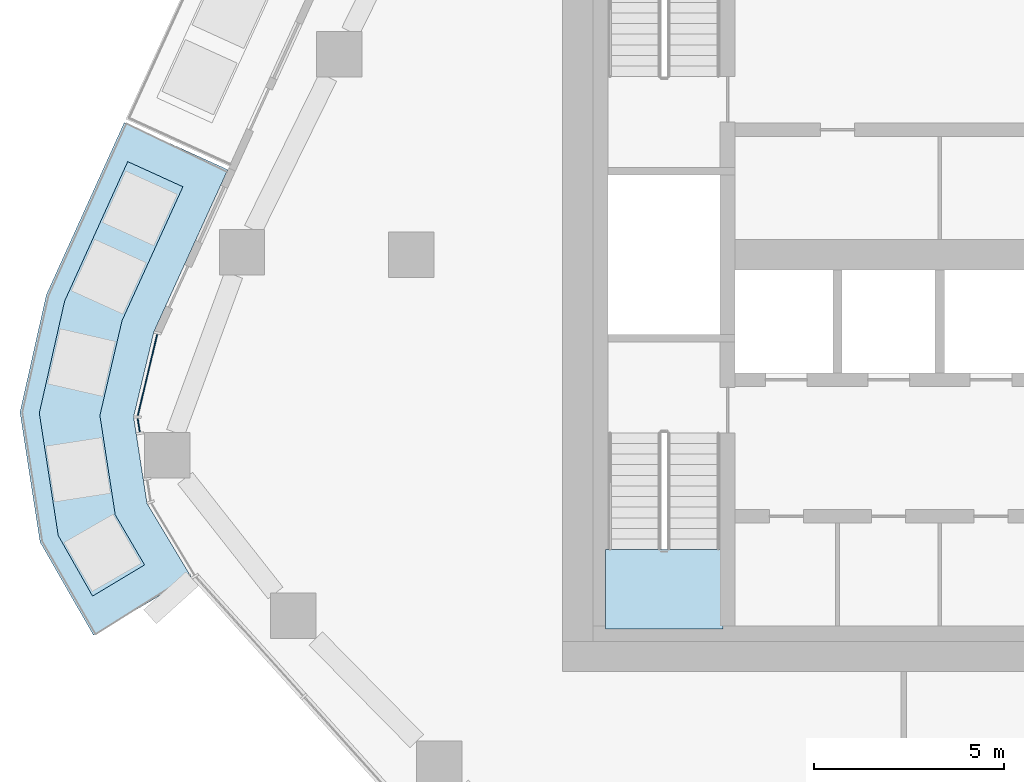
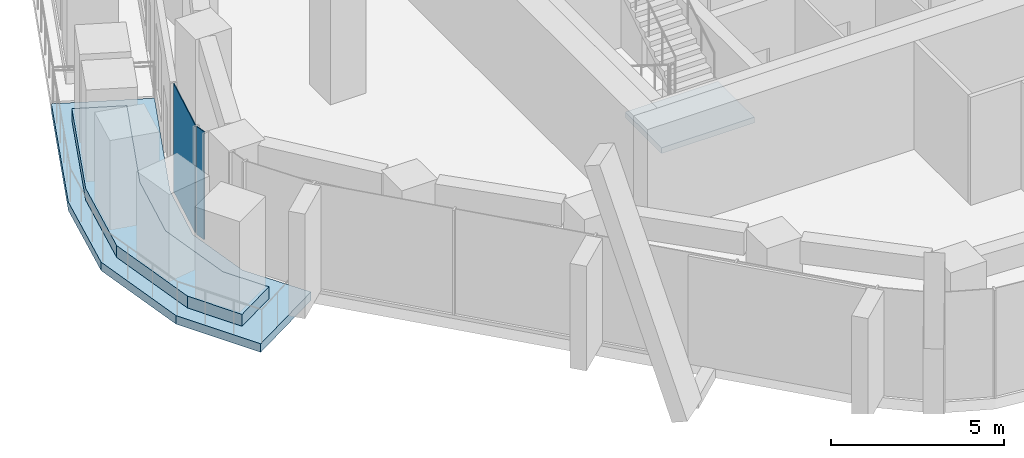
# One storey, part 8 of 19: 3 slabs, 2 plates, 2 elements without a shape of their own.
"""IFC4 building model written with IfcOpenShell, lengths in metres."""

from ifc_helpers import new_model, si_unit, direction, frame, origin, origin_2d, place, context, subcontext, project, spatial, polyline, rectangle, outline, extrude, material, layer, layer_set, type_object, element, aggregate, save


model = new_model("IFC4")

# Units and contexts
model_context = context("Model", 3, precision=1e-05, world=origin(), true_north=direction((0.0, 1.0)))
body_context = subcontext(model_context, "Body", "Model", "MODEL_VIEW")
ifc_project = project(units=[si_unit("LENGTHUNIT", "METRE"), si_unit("AREAUNIT", "SQUARE_METRE"), si_unit("VOLUMEUNIT", "CUBIC_METRE"), si_unit("PLANEANGLEUNIT", "RADIAN"), si_unit("MASSUNIT", "GRAM", prefix="KILO")], contexts=[model_context])

# Site, building, storey
site_placement = place(None, origin())
site = spatial("IfcSite", under=ifc_project, at=site_placement, CompositionType="ELEMENT")
building_placement = place(site_placement, origin())
building = spatial("IfcBuilding", under=site, at=building_placement, Name="Dongbaek Canopy Tower", CompositionType="ELEMENT")
storey_placement = place(building_placement, frame((0.0, 0.0, 198.800048828125)))
storey = spatial("IfcBuildingStorey", under=building, at=storey_placement, Name="L41", CompositionType="ELEMENT", Elevation=198.800048828125)

# Slab
ifc_material_1 = material(Name="Concrete C40/50", Category="concrete")
ifc_layer_1 = layer(ifc_material_1, 0.300048828125)
ifc_layer_set_1 = layer_set([ifc_layer_1], Name="Balcony slab 300")
slab_type_1 = type_object("IfcSlabType", Name="Balcony slab 300", PredefinedType="FLOOR", material=ifc_layer_set_1)
slab_1_placement = place(storey_placement, frame((0.0, 0.0, -0.300048828125)))
element("IfcSlab", 1, at=slab_1_placement, inside=storey, type_object=slab_type_1, Name="Balcony L41 2", PredefinedType="FLOOR", context=body_context, shape_type="SweptSolid", body=[
    extrude(outline(polyline([(-22.83740234375, 2.243408203125), (-24.785888671875, -2.031005859375), (-25.3212890625, -4.277587890625), (-24.96875, -6.559814453125), (-23.8056640625, -8.4970703125), (-26.3779296875, -10.041259765625), (-27.789794921875, -7.580078125), (-28.31884765625, -4.156494140625), (-27.623046875, -1.056396484375), (-25.5673828125, 3.487548828125), (-22.83740234375, 2.243408203125)])), origin(), (0.0, 0.0, 1.0), 0.300048828125),
])

# Curtain wall, plates
ifc_material_2 = material(Name="Aluminium 6063-T6 pale anodised", Category="aluminium")
ifc_layer_2 = layer(ifc_material_2, 0.199951171875)
ifc_layer_set_2 = layer_set([ifc_layer_2], Name="CW-1 unitised tower curtain wall")
curtain_wall_type = type_object("IfcCurtainWallType", Name="CW-1 unitised tower curtain wall", PredefinedType="NOTDEFINED", material=ifc_layer_set_2)
curtain_wall_placement = place(storey_placement, origin())
curtain_wall = element("IfcCurtainWall", 2, at=curtain_wall_placement, inside=storey, type_object=curtain_wall_type, Name="CW-1 curtain wall K3.1a", PredefinedType="NOTDEFINED")
ifc_material_3 = material(Name="Clear laminated glass", Category="glass")
ifc_layer_3 = layer(ifc_material_3, 0.028076171875)
ifc_layer_set_3 = layer_set([ifc_layer_3], Name="CW-1 glazed panel 28")
plate_type = type_object("IfcPlateType", Name="CW-1 glazed panel 28", PredefinedType="CURTAIN_PANEL", material=ifc_layer_set_3)
plate_1_placement = place(storey_placement, frame((-24.955078125, -3.172607421875, 0.0), z_axis=(0.0, 0.0, 1.0), x_axis=(-0.231881690436, -0.972743995942, 0.0)))
plate_1 = element("IfcPlate", 3, at=plate_1_placement, type_object=plate_type, Name="CW-1 panel K3.1a.1.1", PredefinedType="CURTAIN_PANEL", context=body_context, shape_type="SweptSolid", body=[
    extrude(rectangle(XDim=2.196044921875, YDim=0.028076171875, at=origin_2d()), origin(), (0.0, 0.0, 1.0), 3.820068359375),
])
plate_2_placement = place(storey_placement, frame((-25.186279296875, -4.496826171875, 0.0), z_axis=(0.0, 0.0, 1.0), x_axis=(0.15271309761, -0.988270565088, 0.0)))
plate_2 = element("IfcPlate", 4, at=plate_2_placement, type_object=plate_type, Name="CW-1 panel K3.1a.2.1", PredefinedType="CURTAIN_PANEL", context=body_context, shape_type="SweptSolid", body=[
    extrude(rectangle(XDim=0.351806640625, YDim=0.028076171875, at=origin_2d()), origin(), (0.0, 0.0, 1.0), 3.820068359375),
])
aggregate(curtain_wall, [plate_1, plate_2])

# Stair, slab
ifc_material_4 = material(Name="Concrete C40/50", Category="concrete")
stair_type = type_object("IfcStairType", Name="Core exit stair", PredefinedType="HALF_TURN_STAIR", material=ifc_material_4)
stair_placement = place(storey_placement, origin())
stair = element("IfcStair", 5, at=stair_placement, inside=storey, type_object=stair_type, Name="L41 exit stair D", PredefinedType="HALF_TURN_STAIR")
ifc_material_5 = material(Name="Concrete C40/50", Category="concrete")
ifc_layer_4 = layer(ifc_material_5, 0.199951171875)
ifc_layer_set_4 = layer_set([ifc_layer_4], Name="Core stair landing 200")
slab_type_2 = type_object("IfcSlabType", Name="Core stair landing 200", PredefinedType="LANDING", material=ifc_layer_set_4)
slab_2_placement = place(storey_placement, frame((0.0, 0.0, 1.89990234375)))
slab_2 = element("IfcSlab", 6, at=slab_2_placement, type_object=slab_type_2, Name="ST-D landing 1", PredefinedType="LANDING", context=body_context, shape_type="SweptSolid", body=[
    extrude(outline(polyline([(-12.875, -7.780029296875), (-12.875, -9.875), (-9.77490234375, -9.875), (-9.77490234375, -7.780029296875), (-12.875, -7.780029296875)])), origin(), (0.0, 0.0, 1.0), 0.199951171875),
])
aggregate(stair, [slab_2])

# Slab
ifc_material_6 = material(Name="Reinforced concrete C40/50 planter box with soil", Category="concrete")
ifc_layer_5 = layer(ifc_material_6, 0.419921875)
ifc_layer_set_5 = layer_set([ifc_layer_5], Name="Terrace planter box 1600 x 420")
slab_type_3 = type_object("IfcSlabType", Name="Terrace planter box 1600 x 420", PredefinedType="USERDEFINED", material=ifc_layer_set_5)
slab_3_placement = place(storey_placement, origin())
element("IfcSlab", 7, at=slab_3_placement, inside=storey, type_object=slab_type_3, Name="Balcony planter L41 2", ObjectType="PLANTER", PredefinedType="USERDEFINED", context=body_context, shape_type="SweptSolid", body=[
    extrude(outline(polyline([(-24.020751953125, 1.793701171875), (-25.627685546875, -1.741943359375), (-26.210693359375, -4.24169921875), (-25.8056640625, -6.862548828125), (-25.031982421875, -8.18359375), (-26.40380859375, -9.007080078125), (-27.310302734375, -7.40673828125), (-27.809326171875, -4.177001953125), (-27.140869140625, -1.22216796875), (-25.4765625, 2.457275390625), (-24.020751953125, 1.793701171875)])), origin(), (0.0, 0.0, 1.0), 0.419921875),
])

save(model, "model.ifc")
